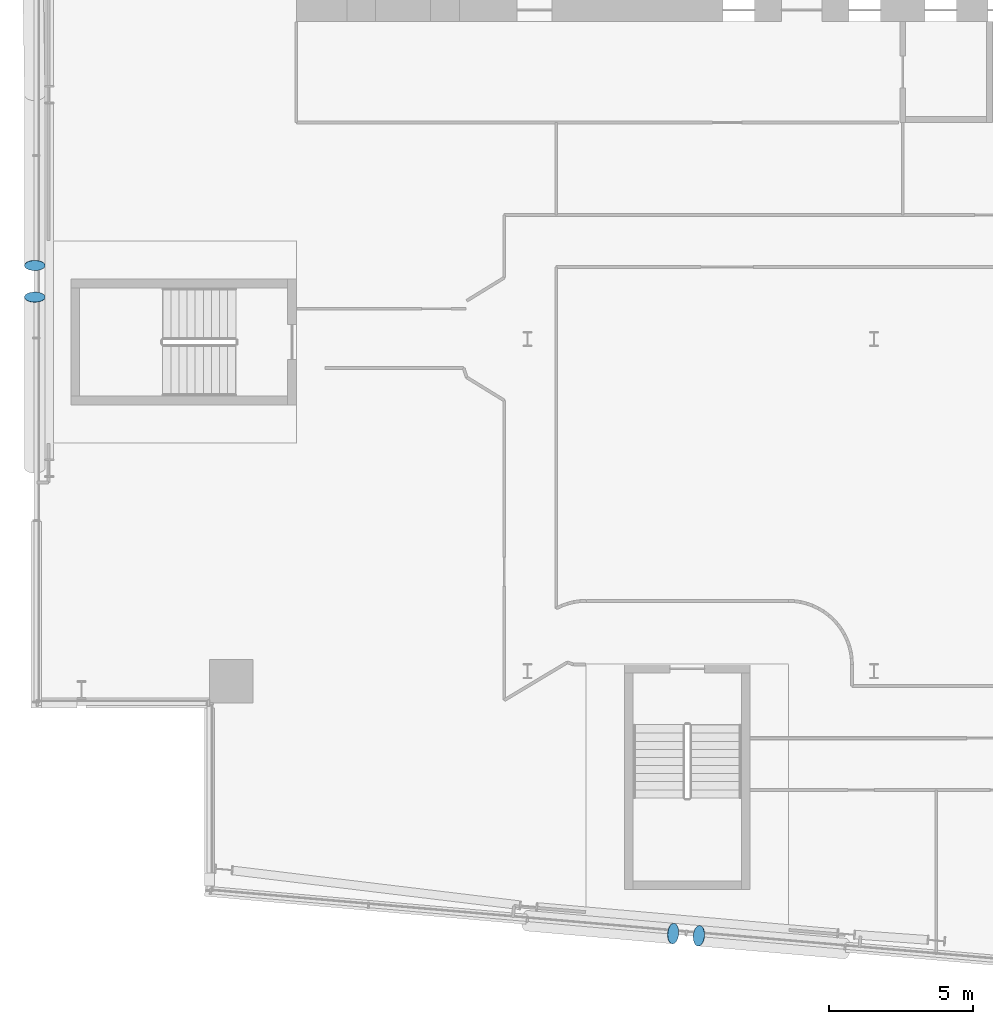
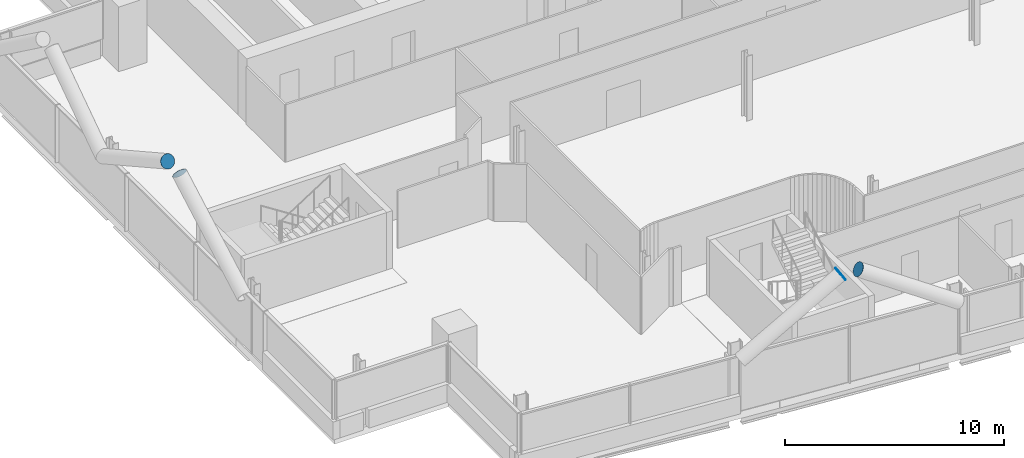
# One storey, part 23 of 29: 4 discrete accessories.
"""IFC4 building model written with IfcOpenShell, lengths in metres."""

from ifc_helpers import new_model, si_unit, direction, frame, origin, origin_2d, place, context, subcontext, project, spatial, circle, extrude, material, material_profile, profile_set, type_object, element, save


model = new_model("IFC4")

# Units and contexts
model_context = context("Model", 3, precision=1e-05, world=origin(), true_north=direction((0.0, 1.0)))
body_context = subcontext(model_context, "Body", "Model", "MODEL_VIEW")
ifc_project = project(units=[si_unit("LENGTHUNIT", "METRE"), si_unit("AREAUNIT", "SQUARE_METRE"), si_unit("VOLUMEUNIT", "CUBIC_METRE"), si_unit("PLANEANGLEUNIT", "RADIAN"), si_unit("MASSUNIT", "GRAM", prefix="KILO")], contexts=[model_context])

# Site, building, storey
site_placement = place(None, origin())
site = spatial("IfcSite", under=ifc_project, at=site_placement, CompositionType="ELEMENT")
building_placement = place(site_placement, origin())
building = spatial("IfcBuilding", under=site, at=building_placement, Name="Wharfspan Tower", CompositionType="ELEMENT")
storey_placement = place(building_placement, frame((0.0, 0.0, 162.699951)))
storey = spatial("IfcBuildingStorey", under=building, at=storey_placement, Name="L39", CompositionType="ELEMENT", Elevation=162.699951)

# Discrete accessories
ifc_material = material(Name="Steel S460NH", Category="steel")
ifc_material_profile = material_profile(ifc_material, circle(Radius=0.355469, at=origin_2d()))
ifc_profile_set = profile_set([ifc_material_profile], Name="Steel S460NH")
discrete_accessory_type = type_object("IfcDiscreteAccessoryType", Name="End plate CHS 711x36", PredefinedType="BRACKET", material=ifc_profile_set)
for number, where, z_axis, x_axis, name in (
    (1, (29.043213, 2.41626, 6.204346), (0.844416, -0.072379, 0.530776), (0.085402, 0.99635, 0.0), "End plate CHS 711x36"),
    (2, (29.947021, 2.337158, 6.204346), (-0.837276, 0.073877, 0.541767), (-0.087893, -0.996132, 1e-06), "End plate CHS 711x36"),
    (3, (6.945068, 25.554443, 6.191406), (0.0, -0.874157, 0.485643), (1.0, 0.0, 0.0), "End plate CHS 711x36"),
    (4, (6.945068, 24.445557, 6.191406), (0.0, 0.874157, 0.485643), (-1.0, 0.0, 0.0), "End plate CHS 711x36"),
):
    element("IfcDiscreteAccessory", number, at=place(storey_placement, frame(where, z_axis=z_axis, x_axis=x_axis)), inside=storey, type_object=discrete_accessory_type, Name=name, PredefinedType="BRACKET", context=body_context, shape_type="SweptSolid", body=[
        extrude(circle(Radius=0.355469, at=origin_2d()), origin(), (0.0, 0.0, 1.0), 0.01001),
    ])

save(model, "model.ifc")
